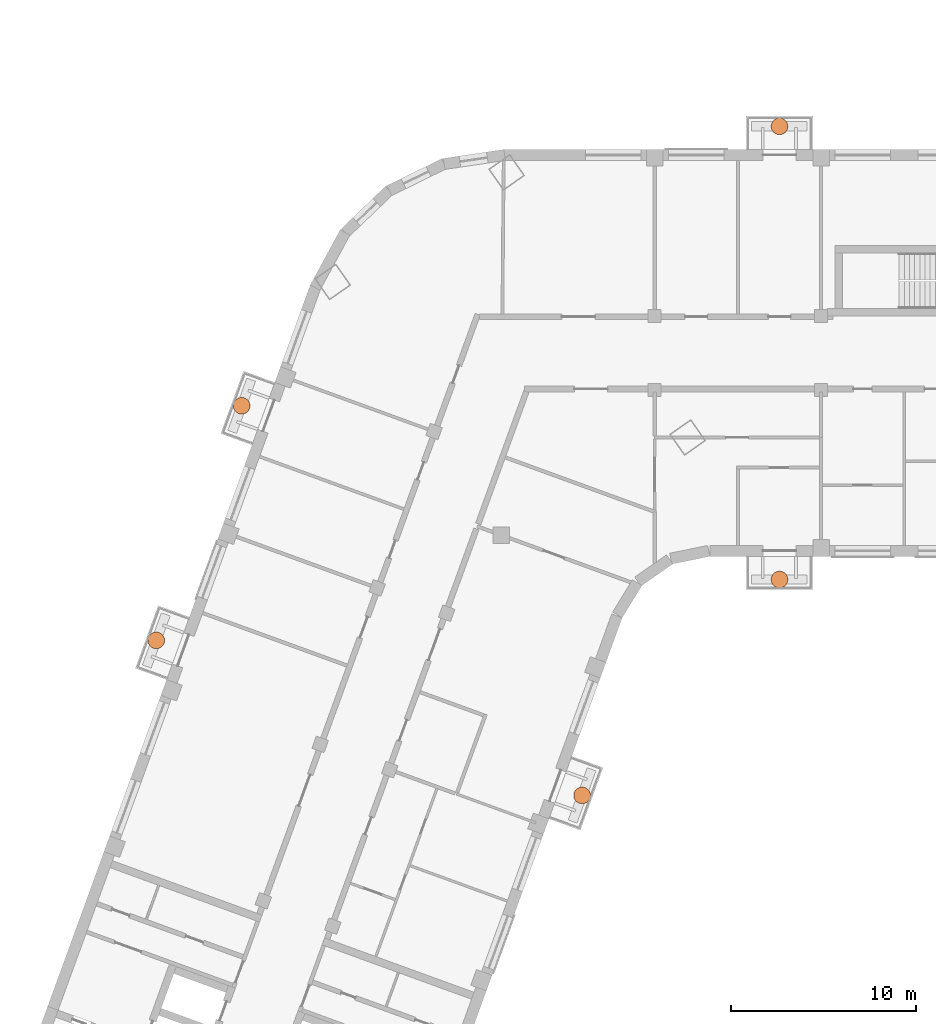
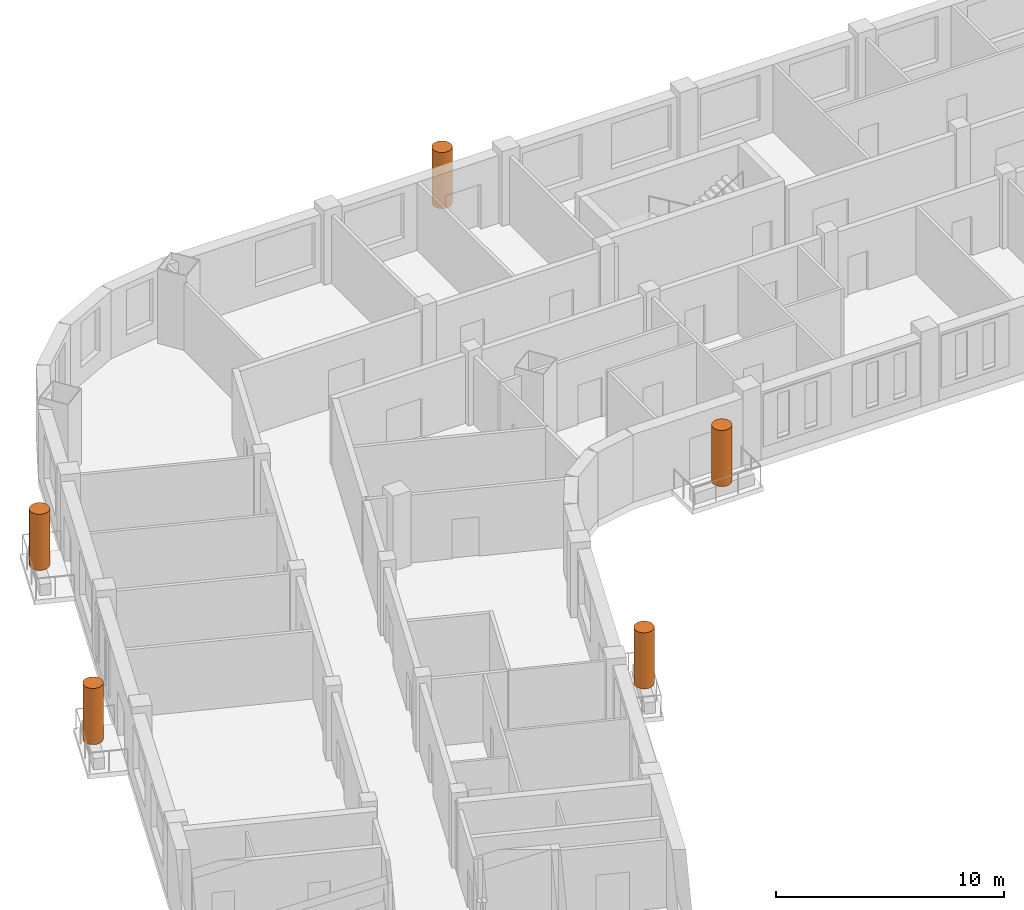
# One storey, part 18 of 18: 5 geographic elements.
"""IFC4 building model written with IfcOpenShell, lengths in metres."""

from ifc_helpers import new_model, si_unit, direction, frame, origin, origin_2d, place, context, subcontext, project, spatial, circle, extrude, element, save


model = new_model("IFC4")

# Units and contexts
model_context = context("Model", 3, precision=1e-05, world=origin(), true_north=direction((0.0, 1.0)))
body_context = subcontext(model_context, "Body", "Model", "MODEL_VIEW")
ifc_project = project(units=[si_unit("LENGTHUNIT", "METRE"), si_unit("AREAUNIT", "SQUARE_METRE"), si_unit("VOLUMEUNIT", "CUBIC_METRE"), si_unit("PLANEANGLEUNIT", "RADIAN"), si_unit("MASSUNIT", "GRAM", prefix="KILO")], contexts=[model_context])

# Site, building, storey
site_placement = place(None, origin())
site = spatial("IfcSite", under=ifc_project, at=site_placement, CompositionType="ELEMENT")
building_placement = place(site_placement, origin())
building = spatial("IfcBuilding", under=site, at=building_placement, Name="Skarvind Civic Tower", CompositionType="ELEMENT")
storey_placement = place(building_placement, frame((0.0, 0.0, 31.5)))
storey = spatial("IfcBuildingStorey", under=building, at=storey_placement, Name="L06", CompositionType="ELEMENT", Elevation=31.5)

# Geographic elements
for number, where, z_axis, x_axis, name in (
    (1, (50.328857421875, 104.07666015625, 0.60009765625), (0.0, 0.0, 1.0), (1.0, 0.0, 0.0), "TREE BALCONY TREE"),
    (2, (61.0, 115.75, 0.60009765625), (0.0, 0.0, 1.0), (1.0, 0.0, 0.0), "TREE BALCONY TREE"),
    (3, (61.0, 140.25, 0.60009765625), (0.0, 0.0, 1.0), (1.0, 0.0, 0.0), "TREE BALCONY TREE"),
    (4, (27.306396484375, 112.456298828125, 0.60009765625), (0.0, 0.0, 1.0), (1.0, 0.0, 0.0), "TREE BALCONY TREE"),
    (5, (31.923583984375, 125.14208984375, 0.60009765625), (0.0, 0.0, 1.0), (1.0, 0.0, 0.0), "TREE BALCONY TREE"),
):
    element("IfcGeographicElement", number, at=place(storey_placement, frame(where, z_axis=z_axis, x_axis=x_axis)), inside=storey, Name=name, ObjectType="TREE", PredefinedType="USERDEFINED", context=body_context, shape_type="SweptSolid", body=[
        extrude(circle(Radius=0.449951171875, at=origin_2d()), origin(), (0.0, 0.0, 1.0), 3.0),
    ])

save(model, "model.ifc")
